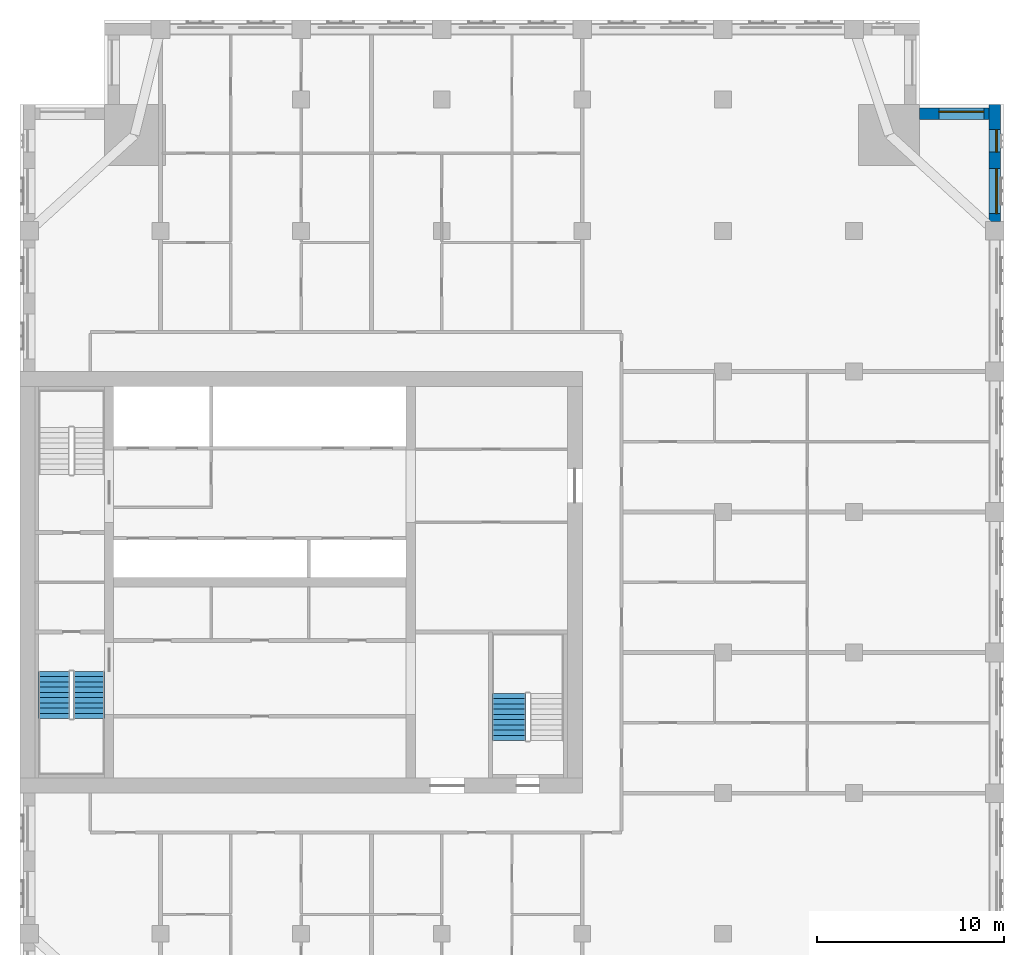
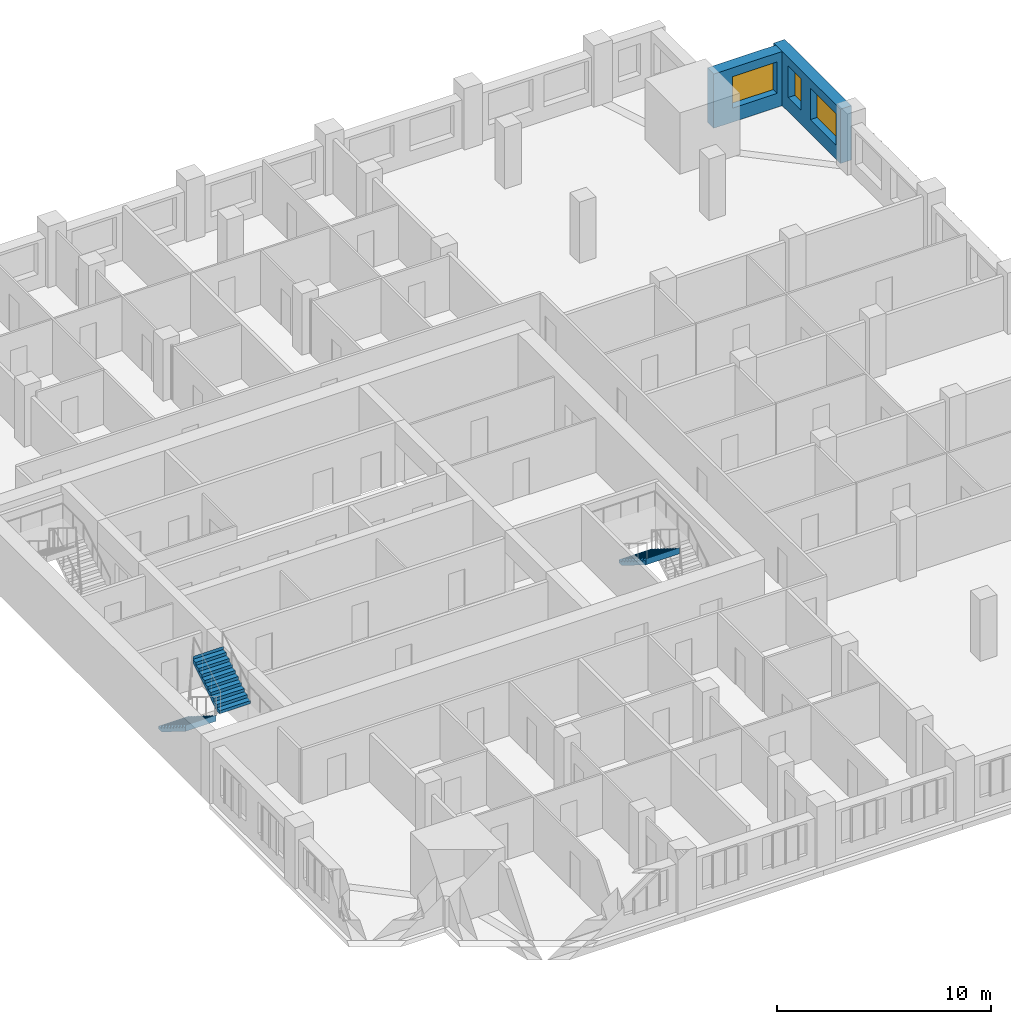
# One storey, part 12 of 14: 3 stair flights, 3 windows, 2 walls, 3 openings, 2 elements without a shape of their own.
"""IFC4 building model written with IfcOpenShell, lengths in metres."""

from ifc_helpers import new_model, si_unit, direction, frame, frame_2d, origin, place, context, subcontext, project, spatial, polyline, rectangle, outline, extrude, material, layer, layer_set, type_object, element, fill, aggregate, save


model = new_model("IFC4")

# Units and contexts
model_context = context("Model", 3, precision=1e-05, world=origin(), true_north=direction((0.0, 1.0)))
body_context = subcontext(model_context, "Body", "Model", "MODEL_VIEW")
ifc_project = project(units=[si_unit("LENGTHUNIT", "METRE"), si_unit("AREAUNIT", "SQUARE_METRE"), si_unit("VOLUMEUNIT", "CUBIC_METRE"), si_unit("PLANEANGLEUNIT", "RADIAN"), si_unit("MASSUNIT", "GRAM", prefix="KILO")], contexts=[model_context])

# Site, building, storey
site_placement = place(None, origin())
site = spatial("IfcSite", under=ifc_project, at=site_placement, CompositionType="ELEMENT")
building_placement = place(site_placement, origin())
building = spatial("IfcBuilding", under=site, at=building_placement, Name="Tamorin Gate", CompositionType="ELEMENT")
storey_placement = place(building_placement, frame((0.0, 0.0, 210.699951171875)))
storey = spatial("IfcBuildingStorey", under=building, at=storey_placement, Name="L52", CompositionType="ELEMENT", Elevation=210.699951171875)

# Wall, openings, windows
ifc_material_1 = material(Name="Precast concrete C40/50", Category="concrete")
ifc_layer = layer(ifc_material_1, 0.60009765625)
ifc_layer_set = layer_set([ifc_layer], Name="Precast concrete C40/50")
wall_type = type_object("IfcWallType", Name="Board-marked concrete facade panel 600", PredefinedType="SOLIDWALL", material=ifc_layer_set)
wall_1_placement = place(storey_placement, frame((82.0, 90.5, 0.0), z_axis=(0.0, 0.0, 1.0), x_axis=(0.0, 1.0, 0.0)))
wall_1 = element("IfcWall", 1, at=wall_1_placement, inside=storey, type_object=wall_type, Name="Facade panel", PredefinedType="SOLIDWALL", context=body_context, shape_type="SweptSolid", body=[
    extrude(rectangle(XDim=6.25, YDim=0.60009765625, at=frame_2d((3.125, 0.0))), origin(), (0.0, 0.0, 1.0), 3.10009765625),
])
opening_1_placement = place(wall_1_placement, frame((0.425048828125, 0.0, 0.800048828125)))
opening_1 = element("IfcOpeningElement", 2, at=opening_1_placement, cuts=wall_1, Name="Opening WN1", PredefinedType="OPENING", context=body_context, shape_type="SweptSolid", body=[
    extrude(rectangle(XDim=2.39990234375, YDim=1.800048828125, at=frame_2d((1.199951171875, 0.89990234375))), frame((0.0, 0.31005859375, 0.0), z_axis=(0.0, -1.0, 0.0), x_axis=(1.0, 0.0, 0.0)), (0.0, 0.0, 1.0), 0.6201171875),
])
opening_2_placement = place(wall_1_placement, frame((3.699951171875, 0.0, 0.800048828125)))
opening_2 = element("IfcOpeningElement", 3, at=opening_2_placement, cuts=wall_1, Name="Opening WN3", PredefinedType="OPENING", context=body_context, shape_type="SweptSolid", body=[
    extrude(rectangle(XDim=1.199951171875, YDim=1.800048828125, at=frame_2d((0.60009765625, 0.89990234375))), frame((0.0, 0.31005859375, 0.0), z_axis=(0.0, -1.0, 0.0), x_axis=(1.0, 0.0, 0.0)), (0.0, 0.0, 1.0), 0.6201171875),
])
ifc_material_2 = material(Name="Clear glass in aluminium frame", Category="aluminium")
window_type_1 = type_object("IfcWindowType", Name="Deep-set window 1200x1800", PartitioningType="SINGLE_PANEL", PredefinedType="WINDOW", material=ifc_material_2)
window_1_placement = place(opening_2_placement, origin())
window_1 = element("IfcWindow", 4, at=window_1_placement, inside=storey, type_object=window_type_1, Name="Deep-set window", OverallHeight=1.800048828125, OverallWidth=1.199951171875, PartitioningType="SINGLE_PANEL", PredefinedType="WINDOW", context=body_context, shape_type="SweptSolid", body=[
    extrude(rectangle(XDim=1.199951171875, YDim=1.800048828125, at=frame_2d((0.60009765625, 0.89990234375))), frame((0.0, -0.070068359375, 0.0), z_axis=(0.0, -1.0, 0.0), x_axis=(1.0, 0.0, 0.0)), (0.0, 0.0, 1.0), 0.06005859375),
])
fill(opening_2, window_1)
window_type_2 = type_object("IfcWindowType", Name="Deep-set window 2400x1800", PartitioningType="SINGLE_PANEL", PredefinedType="WINDOW", material=ifc_material_2)
window_2_placement = place(opening_1_placement, origin())
window_2 = element("IfcWindow", 5, at=window_2_placement, inside=storey, type_object=window_type_2, Name="Deep-set window", OverallHeight=1.800048828125, OverallWidth=2.39990234375, PartitioningType="SINGLE_PANEL", PredefinedType="WINDOW", context=body_context, shape_type="SweptSolid", body=[
    extrude(rectangle(XDim=2.39990234375, YDim=1.800048828125, at=frame_2d((1.199951171875, 0.89990234375))), frame((0.0, -0.070068359375, 0.0), z_axis=(0.0, -1.0, 0.0), x_axis=(1.0, 0.0, 0.0)), (0.0, 0.0, 1.0), 0.06005859375),
])
fill(opening_1, window_2)

# Wall, opening, window
wall_2_placement = place(storey_placement, frame((81.699951171875, 96.25, 0.0), z_axis=(0.0, 0.0, 1.0), x_axis=(-1.0, 0.0, 0.0)))
wall_2 = element("IfcWall", 6, at=wall_2_placement, inside=storey, type_object=wall_type, Name="Facade panel", PredefinedType="SOLIDWALL", context=body_context, shape_type="SweptSolid", body=[
    extrude(rectangle(XDim=3.699951171875, YDim=0.60009765625, at=frame_2d((1.85009765625, 0.0))), origin(), (0.0, 0.0, 1.0), 3.10009765625),
])
opening_3_placement = place(wall_2_placement, frame((0.27490234375, 0.0, 0.800048828125)))
opening_3 = element("IfcOpeningElement", 7, at=opening_3_placement, cuts=wall_2, Name="Opening WN1", PredefinedType="OPENING", context=body_context, shape_type="SweptSolid", body=[
    extrude(rectangle(XDim=2.39990234375, YDim=1.800048828125, at=frame_2d((1.199951171875, 0.89990234375))), frame((0.0, 0.31005859375, 0.0), z_axis=(0.0, -1.0, 0.0), x_axis=(1.0, 0.0, 0.0)), (0.0, 0.0, 1.0), 0.6201171875),
])
window_3_placement = place(opening_3_placement, origin())
window_3 = element("IfcWindow", 8, at=window_3_placement, inside=storey, type_object=window_type_2, Name="Deep-set window", OverallHeight=1.800048828125, OverallWidth=2.39990234375, PartitioningType="SINGLE_PANEL", PredefinedType="WINDOW", context=body_context, shape_type="SweptSolid", body=[
    extrude(rectangle(XDim=2.39990234375, YDim=1.800048828125, at=frame_2d((1.199951171875, 0.89990234375))), frame((0.0, -0.070068359375, 0.0), z_axis=(0.0, -1.0, 0.0), x_axis=(1.0, 0.0, 0.0)), (0.0, 0.0, 1.0), 0.06005859375),
])
fill(opening_3, window_3)

# Stair, stair flights
ifc_material_3 = material(Name="Concrete C40/50", Category="concrete")
stair_type = type_object("IfcStairType", Name="Exit stair", PredefinedType="HALF_TURN_STAIR", material=ifc_material_3)
stair_1_placement = place(storey_placement, origin())
stair_1 = element("IfcStair", 9, at=stair_1_placement, inside=storey, type_object=stair_type, Name="L52 stair ST1", PredefinedType="HALF_TURN_STAIR")
stair_flight_type = type_object("IfcStairFlightType", Name="Exit stair flight", PredefinedType="STRAIGHT", material=ifc_material_3)
stair_flight_1_placement = place(storey_placement, frame((31.824951171875, 66.5, 0.0), z_axis=(0.0, 0.0, 1.0), x_axis=(0.0, -1.0, 0.0)))
stair_flight_1 = element("IfcStairFlight", 10, at=stair_flight_1_placement, type_object=stair_flight_type, Name="ST1 flight 1", NumberOfRisers=10, NumberOfTreads=9, PredefinedType="STRAIGHT", RiserHeight=0.175, TreadLength=0.28, context=body_context, shape_type="SweptSolid", body=[
    extrude(outline(polyline([(-0.00048828125, 0.0), (-0.00048828125, 0.001708984375), (-0.00048828125, 0.00341796875), (-0.00048828125, 0.005126953125), (-0.00048828125, 0.0068359375), (-0.00048828125, 0.008544921875), (-0.00048828125, 0.010498046875), (-0.00048828125, 0.01220703125), (-0.00048828125, 0.013916015625), (-0.00048828125, 0.015625), (-0.00048828125, 0.017333984375), (-0.00048828125, 0.01904296875), (-0.00048828125, 0.020751953125), (-0.00048828125, 0.0224609375), (-0.00048828125, 0.024169921875), (-0.00048828125, 0.02587890625), (-0.00048828125, 0.02783203125), (-0.00048828125, 0.029541015625), (-0.00048828125, 0.03125), (-0.00048828125, 0.032958984375), (-0.00048828125, 0.03466796875), (-0.00048828125, 0.036376953125), (-0.00048828125, 0.0380859375), (-0.00048828125, 0.039794921875), (-0.00048828125, 0.04150390625), (-0.00048828125, 0.043212890625), (-0.00048828125, 0.045166015625), (-0.00048828125, 0.046875), (-0.00048828125, 0.048583984375), (-0.00048828125, 0.05029296875), (-0.00048828125, 0.052001953125), (-0.00048828125, 0.0537109375), (-0.00048828125, 0.055419921875), (-0.00048828125, 0.05712890625), (-0.00048828125, 0.058837890625), (-0.00048828125, 0.060546875), (-0.00048828125, 0.062255859375), (-0.00048828125, 0.064208984375), (-0.00048828125, 0.06591796875), (-0.00048828125, 0.067626953125), (-0.00048828125, 0.0693359375), (-0.00048828125, 0.071044921875), (-0.00048828125, 0.07275390625), (-0.00048828125, 0.074462890625), (-0.00048828125, 0.076171875), (-0.00048828125, 0.077880859375), (-0.00048828125, 0.07958984375), (-0.00048828125, 0.08154296875), (-0.00048828125, 0.083251953125), (-0.00048828125, 0.0849609375), (-0.00048828125, 0.086669921875), (-0.00048828125, 0.08837890625), (-0.00048828125, 0.090087890625), (-0.00048828125, 0.091796875), (-0.00048828125, 0.093505859375), (-0.00048828125, 0.09521484375), (-0.00048828125, 0.096923828125), (-0.00048828125, 0.098876953125), (-0.00048828125, 0.1005859375), (-0.00048828125, 0.102294921875), (-0.00048828125, 0.10400390625), (-0.00048828125, 0.105712890625), (-0.00048828125, 0.107421875), (-0.00048828125, 0.109130859375), (-0.00048828125, 0.11083984375), (-0.00048828125, 0.112548828125), (-0.00048828125, 0.1142578125), (-0.00048828125, 0.1162109375), (-0.00048828125, 0.117919921875), (-0.00048828125, 0.11962890625), (-0.00048828125, 0.121337890625), (-0.00048828125, 0.123046875), (-0.00048828125, 0.124755859375), (-0.00048828125, 0.12646484375), (-0.00048828125, 0.128173828125), (-0.00048828125, 0.1298828125), (-0.00048828125, 0.131591796875), (-0.00048828125, 0.13330078125), (-0.00048828125, 0.13525390625), (-0.00048828125, 0.136962890625), (-0.00048828125, 0.138671875), (-0.00048828125, 0.140380859375), (-0.00048828125, 0.14208984375), (-0.00048828125, 0.143798828125), (-0.00048828125, 0.1455078125), (-0.00048828125, 0.147216796875), (-0.00048828125, 0.14892578125), (-0.00048828125, 0.150634765625), (-0.00048828125, 0.152587890625), (-0.00048828125, 0.154296875), (-0.00048828125, 0.156005859375), (-0.00048828125, 0.15771484375), (-0.00048828125, 0.159423828125), (-0.00048828125, 0.1611328125), (-0.00048828125, 0.162841796875), (-0.00048828125, 0.16455078125), (-0.00048828125, 0.166259765625), (-0.00048828125, 0.16796875), (-0.00048828125, 0.169921875), (-0.00048828125, 0.171630859375), (-0.00048828125, 0.17333984375), (-0.00048828125, 0.175048828125), (0.280029296875, 0.175048828125), (0.280029296875, 0.35009765625), (0.56005859375, 0.35009765625), (0.56005859375, 0.52490234375), (0.840087890625, 0.52490234375), (0.840087890625, 0.699951171875), (1.1201171875, 0.699951171875), (1.1201171875, 0.875), (1.39990234375, 0.875), (1.39990234375, 1.050048828125), (1.679931640625, 1.050048828125), (1.679931640625, 1.22509765625), (1.9599609375, 1.22509765625), (1.9599609375, 1.39990234375), (2.239990234375, 1.39990234375), (2.239990234375, 1.574951171875), (2.52001953125, 1.574951171875), (2.52001953125, 1.75), (2.5205078125, 1.75), (2.5205078125, 1.74658203125), (2.5205078125, 1.742919921875), (2.5205078125, 1.739501953125), (2.5205078125, 1.736083984375), (2.5205078125, 1.732666015625), (2.5205078125, 1.72900390625), (2.5205078125, 1.7255859375), (2.5205078125, 1.72216796875), (2.5205078125, 1.71875), (2.5205078125, 1.715087890625), (2.5205078125, 1.711669921875), (2.5205078125, 1.708251953125), (2.5205078125, 1.704833984375), (2.5205078125, 1.701171875), (2.5205078125, 1.69775390625), (2.5205078125, 1.6943359375), (2.5205078125, 1.690673828125), (2.5205078125, 1.687255859375), (2.5205078125, 1.683837890625), (2.5205078125, 1.680419921875), (2.5205078125, 1.6767578125), (2.5205078125, 1.67333984375), (2.5205078125, 1.669921875), (2.5205078125, 1.66650390625), (2.5205078125, 1.662841796875), (2.5205078125, 1.659423828125), (2.5205078125, 1.656005859375), (2.5205078125, 1.652587890625), (2.5205078125, 1.64892578125), (2.5205078125, 1.6455078125), (2.5205078125, 1.64208984375), (2.5205078125, 1.638427734375), (2.5205078125, 1.635009765625), (2.5205078125, 1.631591796875), (2.5205078125, 1.628173828125), (2.5205078125, 1.62451171875), (2.5205078125, 1.62109375), (2.5205078125, 1.61767578125), (2.5205078125, 1.6142578125), (2.5205078125, 1.610595703125), (2.5205078125, 1.607177734375), (2.5205078125, 1.603759765625), (2.5205078125, 1.600341796875), (2.5205078125, 1.5966796875), (2.5205078125, 1.59326171875), (2.5205078125, 1.58984375), (2.5205078125, 1.58642578125), (2.5205078125, 1.582763671875), (2.5205078125, 1.579345703125), (2.5205078125, 1.575927734375), (2.5205078125, 1.572265625), (2.5205078125, 1.56884765625), (2.5205078125, 1.5654296875), (2.5205078125, 1.56201171875), (2.5205078125, 1.558349609375), (2.5205078125, 1.554931640625), (2.5205078125, 1.551513671875), (2.5205078125, 1.548095703125), (2.5205078125, 1.54443359375), (2.5205078125, 1.541015625), (2.5205078125, 1.53759765625), (2.5205078125, 1.5341796875), (2.5205078125, 1.530517578125), (2.5205078125, 1.527099609375), (2.5205078125, 1.523681640625), (2.5205078125, 1.52001953125), (2.5205078125, 1.5166015625), (2.5205078125, 1.51318359375), (2.5205078125, 1.509765625), (2.5205078125, 1.506103515625), (2.5205078125, 1.502685546875), (2.5205078125, 1.499267578125), (2.5205078125, 1.495849609375), (2.5205078125, 1.4921875), (2.5205078125, 1.48876953125), (2.5205078125, 1.4853515625), (2.5205078125, 1.48193359375), (2.5205078125, 1.478271484375), (2.5205078125, 1.474853515625), (2.5205078125, 1.471435546875), (2.5205078125, 1.4677734375), (2.5205078125, 1.46435546875), (2.5205078125, 1.4609375), (2.5205078125, 1.45751953125), (2.5205078125, 1.453857421875), (2.5205078125, 1.450439453125), (2.5205078125, 1.447021484375), (2.5205078125, 1.443603515625), (2.5205078125, 1.43994140625), (2.5205078125, 1.4365234375), (2.5205078125, 1.43310546875), (2.5205078125, 1.4296875), (2.5205078125, 1.426025390625), (2.5205078125, 1.422607421875), (2.5205078125, 1.419189453125), (2.5205078125, 1.41552734375), (2.5205078125, 1.412109375), (2.5205078125, 1.40869140625), (2.5205078125, 1.4052734375), (2.5205078125, 1.401611328125), (2.5205078125, 1.398193359375), (2.52001953125, 1.398193359375), (0.28271484375, 0.0), (-0.00048828125, 0.0)])), frame((0.0, 0.824951171875, 0.0), z_axis=(0.0, -1.0, 0.0), x_axis=(1.0, 0.0, 0.0)), (0.0, 0.0, 1.0), 1.64990234375),
])
stair_flight_2_placement = place(storey_placement, frame((33.675048828125, 63.97998046875, 1.75), z_axis=(0.0, 0.0, 1.0), x_axis=(0.0, 1.0, 0.0)))
stair_flight_2 = element("IfcStairFlight", 11, at=stair_flight_2_placement, type_object=stair_flight_type, Name="ST1 flight 2", NumberOfRisers=10, NumberOfTreads=9, PredefinedType="STRAIGHT", RiserHeight=0.175, TreadLength=0.28, context=body_context, shape_type="SweptSolid", body=[
    extrude(outline(polyline([(-0.00048828125, 0.0), (-0.00048828125, 0.001708984375), (-0.00048828125, 0.00341796875), (-0.00048828125, 0.005126953125), (-0.00048828125, 0.0068359375), (-0.00048828125, 0.008544921875), (-0.00048828125, 0.010498046875), (-0.00048828125, 0.01220703125), (-0.00048828125, 0.013916015625), (-0.00048828125, 0.015625), (-0.00048828125, 0.017333984375), (-0.00048828125, 0.01904296875), (-0.00048828125, 0.020751953125), (-0.00048828125, 0.0224609375), (-0.00048828125, 0.024169921875), (-0.00048828125, 0.02587890625), (-0.00048828125, 0.02783203125), (-0.00048828125, 0.029541015625), (-0.00048828125, 0.03125), (-0.00048828125, 0.032958984375), (-0.00048828125, 0.03466796875), (-0.00048828125, 0.036376953125), (-0.00048828125, 0.0380859375), (-0.00048828125, 0.039794921875), (-0.00048828125, 0.04150390625), (-0.00048828125, 0.043212890625), (-0.00048828125, 0.045166015625), (-0.00048828125, 0.046875), (-0.00048828125, 0.048583984375), (-0.00048828125, 0.05029296875), (-0.00048828125, 0.052001953125), (-0.00048828125, 0.0537109375), (-0.00048828125, 0.055419921875), (-0.00048828125, 0.05712890625), (-0.00048828125, 0.058837890625), (-0.00048828125, 0.060546875), (-0.00048828125, 0.062255859375), (-0.00048828125, 0.064208984375), (-0.00048828125, 0.06591796875), (-0.00048828125, 0.067626953125), (-0.00048828125, 0.0693359375), (-0.00048828125, 0.071044921875), (-0.00048828125, 0.07275390625), (-0.00048828125, 0.074462890625), (-0.00048828125, 0.076171875), (-0.00048828125, 0.077880859375), (-0.00048828125, 0.07958984375), (-0.00048828125, 0.08154296875), (-0.00048828125, 0.083251953125), (-0.00048828125, 0.0849609375), (-0.00048828125, 0.086669921875), (-0.00048828125, 0.08837890625), (-0.00048828125, 0.090087890625), (-0.00048828125, 0.091796875), (-0.00048828125, 0.093505859375), (-0.00048828125, 0.09521484375), (-0.00048828125, 0.096923828125), (-0.00048828125, 0.098876953125), (-0.00048828125, 0.1005859375), (-0.00048828125, 0.102294921875), (-0.00048828125, 0.10400390625), (-0.00048828125, 0.105712890625), (-0.00048828125, 0.107421875), (-0.00048828125, 0.109130859375), (-0.00048828125, 0.11083984375), (-0.00048828125, 0.112548828125), (-0.00048828125, 0.1142578125), (-0.00048828125, 0.1162109375), (-0.00048828125, 0.117919921875), (-0.00048828125, 0.11962890625), (-0.00048828125, 0.121337890625), (-0.00048828125, 0.123046875), (-0.00048828125, 0.124755859375), (-0.00048828125, 0.12646484375), (-0.00048828125, 0.128173828125), (-0.00048828125, 0.1298828125), (-0.00048828125, 0.131591796875), (-0.00048828125, 0.13330078125), (-0.00048828125, 0.13525390625), (-0.00048828125, 0.136962890625), (-0.00048828125, 0.138671875), (-0.00048828125, 0.140380859375), (-0.00048828125, 0.14208984375), (-0.00048828125, 0.143798828125), (-0.00048828125, 0.1455078125), (-0.00048828125, 0.147216796875), (-0.00048828125, 0.14892578125), (-0.00048828125, 0.150634765625), (-0.00048828125, 0.152587890625), (-0.00048828125, 0.154296875), (-0.00048828125, 0.156005859375), (-0.00048828125, 0.15771484375), (-0.00048828125, 0.159423828125), (-0.00048828125, 0.1611328125), (-0.00048828125, 0.162841796875), (-0.00048828125, 0.16455078125), (-0.00048828125, 0.166259765625), (-0.00048828125, 0.16796875), (-0.00048828125, 0.169921875), (-0.00048828125, 0.171630859375), (-0.00048828125, 0.17333984375), (-0.00048828125, 0.175048828125), (0.280029296875, 0.175048828125), (0.280029296875, 0.35009765625), (0.56005859375, 0.35009765625), (0.56005859375, 0.52490234375), (0.840087890625, 0.52490234375), (0.840087890625, 0.699951171875), (1.1201171875, 0.699951171875), (1.1201171875, 0.875), (1.39990234375, 0.875), (1.39990234375, 1.050048828125), (1.679931640625, 1.050048828125), (1.679931640625, 1.22509765625), (1.9599609375, 1.22509765625), (1.9599609375, 1.39990234375), (2.239990234375, 1.39990234375), (2.239990234375, 1.574951171875), (2.52001953125, 1.574951171875), (2.52001953125, 1.75), (2.5205078125, 1.75), (2.5205078125, 1.74658203125), (2.5205078125, 1.742919921875), (2.5205078125, 1.739501953125), (2.5205078125, 1.736083984375), (2.5205078125, 1.732666015625), (2.5205078125, 1.72900390625), (2.5205078125, 1.7255859375), (2.5205078125, 1.72216796875), (2.5205078125, 1.71875), (2.5205078125, 1.715087890625), (2.5205078125, 1.711669921875), (2.5205078125, 1.708251953125), (2.5205078125, 1.704833984375), (2.5205078125, 1.701171875), (2.5205078125, 1.69775390625), (2.5205078125, 1.6943359375), (2.5205078125, 1.690673828125), (2.5205078125, 1.687255859375), (2.5205078125, 1.683837890625), (2.5205078125, 1.680419921875), (2.5205078125, 1.6767578125), (2.5205078125, 1.67333984375), (2.5205078125, 1.669921875), (2.5205078125, 1.66650390625), (2.5205078125, 1.662841796875), (2.5205078125, 1.659423828125), (2.5205078125, 1.656005859375), (2.5205078125, 1.652587890625), (2.5205078125, 1.64892578125), (2.5205078125, 1.6455078125), (2.5205078125, 1.64208984375), (2.5205078125, 1.638427734375), (2.5205078125, 1.635009765625), (2.5205078125, 1.631591796875), (2.5205078125, 1.628173828125), (2.5205078125, 1.62451171875), (2.5205078125, 1.62109375), (2.5205078125, 1.61767578125), (2.5205078125, 1.6142578125), (2.5205078125, 1.610595703125), (2.5205078125, 1.607177734375), (2.5205078125, 1.603759765625), (2.5205078125, 1.600341796875), (2.5205078125, 1.5966796875), (2.5205078125, 1.59326171875), (2.5205078125, 1.58984375), (2.5205078125, 1.58642578125), (2.5205078125, 1.582763671875), (2.5205078125, 1.579345703125), (2.5205078125, 1.575927734375), (2.5205078125, 1.572265625), (2.5205078125, 1.56884765625), (2.5205078125, 1.5654296875), (2.5205078125, 1.56201171875), (2.5205078125, 1.558349609375), (2.5205078125, 1.554931640625), (2.5205078125, 1.551513671875), (2.5205078125, 1.548095703125), (2.5205078125, 1.54443359375), (2.5205078125, 1.541015625), (2.5205078125, 1.53759765625), (2.5205078125, 1.5341796875), (2.5205078125, 1.530517578125), (2.5205078125, 1.527099609375), (2.5205078125, 1.523681640625), (2.5205078125, 1.52001953125), (2.5205078125, 1.5166015625), (2.5205078125, 1.51318359375), (2.5205078125, 1.509765625), (2.5205078125, 1.506103515625), (2.5205078125, 1.502685546875), (2.5205078125, 1.499267578125), (2.5205078125, 1.495849609375), (2.5205078125, 1.4921875), (2.5205078125, 1.48876953125), (2.5205078125, 1.4853515625), (2.5205078125, 1.48193359375), (2.5205078125, 1.478271484375), (2.5205078125, 1.474853515625), (2.5205078125, 1.471435546875), (2.5205078125, 1.4677734375), (2.5205078125, 1.46435546875), (2.5205078125, 1.4609375), (2.5205078125, 1.45751953125), (2.5205078125, 1.453857421875), (2.5205078125, 1.450439453125), (2.5205078125, 1.447021484375), (2.5205078125, 1.443603515625), (2.5205078125, 1.43994140625), (2.5205078125, 1.4365234375), (2.5205078125, 1.43310546875), (2.5205078125, 1.4296875), (2.5205078125, 1.426025390625), (2.5205078125, 1.422607421875), (2.5205078125, 1.419189453125), (2.5205078125, 1.41552734375), (2.5205078125, 1.412109375), (2.5205078125, 1.40869140625), (2.5205078125, 1.4052734375), (2.5205078125, 1.401611328125), (2.5205078125, 1.398193359375), (2.52001953125, 1.398193359375), (0.28271484375, 0.0), (-0.00048828125, 0.0)])), frame((0.0, 0.824951171875, 0.0), z_axis=(0.0, -1.0, 0.0), x_axis=(1.0, 0.0, 0.0)), (0.0, 0.0, 1.0), 1.64990234375),
])
aggregate(stair_1, [stair_flight_1, stair_flight_2])

# Stair, stair flight
stair_2_placement = place(storey_placement, origin())
stair_2 = element("IfcStair", 12, at=stair_2_placement, inside=storey, type_object=stair_type, Name="L52 stair ST3", PredefinedType="HALF_TURN_STAIR")
stair_flight_3_placement = place(storey_placement, frame((56.10009765625, 65.320068359375, 1.75), z_axis=(0.0, 0.0, 1.0), x_axis=(0.0, -1.0, 0.0)))
stair_flight_3 = element("IfcStairFlight", 13, at=stair_flight_3_placement, type_object=stair_flight_type, Name="ST3 flight 2", NumberOfRisers=10, NumberOfTreads=9, PredefinedType="STRAIGHT", RiserHeight=0.175, TreadLength=0.28, context=body_context, shape_type="SweptSolid", body=[
    extrude(outline(polyline([(-0.00048828125, 0.0), (-0.00048828125, 0.001708984375), (-0.00048828125, 0.00341796875), (-0.00048828125, 0.005126953125), (-0.00048828125, 0.0068359375), (-0.00048828125, 0.008544921875), (-0.00048828125, 0.010498046875), (-0.00048828125, 0.01220703125), (-0.00048828125, 0.013916015625), (-0.00048828125, 0.015625), (-0.00048828125, 0.017333984375), (-0.00048828125, 0.01904296875), (-0.00048828125, 0.020751953125), (-0.00048828125, 0.0224609375), (-0.00048828125, 0.024169921875), (-0.00048828125, 0.02587890625), (-0.00048828125, 0.02783203125), (-0.00048828125, 0.029541015625), (-0.00048828125, 0.03125), (-0.00048828125, 0.032958984375), (-0.00048828125, 0.03466796875), (-0.00048828125, 0.036376953125), (-0.00048828125, 0.0380859375), (-0.00048828125, 0.039794921875), (-0.00048828125, 0.04150390625), (-0.00048828125, 0.043212890625), (-0.00048828125, 0.045166015625), (-0.00048828125, 0.046875), (-0.00048828125, 0.048583984375), (-0.00048828125, 0.05029296875), (-0.00048828125, 0.052001953125), (-0.00048828125, 0.0537109375), (-0.00048828125, 0.055419921875), (-0.00048828125, 0.05712890625), (-0.00048828125, 0.058837890625), (-0.00048828125, 0.060546875), (-0.00048828125, 0.062255859375), (-0.00048828125, 0.064208984375), (-0.00048828125, 0.06591796875), (-0.00048828125, 0.067626953125), (-0.00048828125, 0.0693359375), (-0.00048828125, 0.071044921875), (-0.00048828125, 0.07275390625), (-0.00048828125, 0.074462890625), (-0.00048828125, 0.076171875), (-0.00048828125, 0.077880859375), (-0.00048828125, 0.07958984375), (-0.00048828125, 0.08154296875), (-0.00048828125, 0.083251953125), (-0.00048828125, 0.0849609375), (-0.00048828125, 0.086669921875), (-0.00048828125, 0.08837890625), (-0.00048828125, 0.090087890625), (-0.00048828125, 0.091796875), (-0.00048828125, 0.093505859375), (-0.00048828125, 0.09521484375), (-0.00048828125, 0.096923828125), (-0.00048828125, 0.098876953125), (-0.00048828125, 0.1005859375), (-0.00048828125, 0.102294921875), (-0.00048828125, 0.10400390625), (-0.00048828125, 0.105712890625), (-0.00048828125, 0.107421875), (-0.00048828125, 0.109130859375), (-0.00048828125, 0.11083984375), (-0.00048828125, 0.112548828125), (-0.00048828125, 0.1142578125), (-0.00048828125, 0.1162109375), (-0.00048828125, 0.117919921875), (-0.00048828125, 0.11962890625), (-0.00048828125, 0.121337890625), (-0.00048828125, 0.123046875), (-0.00048828125, 0.124755859375), (-0.00048828125, 0.12646484375), (-0.00048828125, 0.128173828125), (-0.00048828125, 0.1298828125), (-0.00048828125, 0.131591796875), (-0.00048828125, 0.13330078125), (-0.00048828125, 0.13525390625), (-0.00048828125, 0.136962890625), (-0.00048828125, 0.138671875), (-0.00048828125, 0.140380859375), (-0.00048828125, 0.14208984375), (-0.00048828125, 0.143798828125), (-0.00048828125, 0.1455078125), (-0.00048828125, 0.147216796875), (-0.00048828125, 0.14892578125), (-0.00048828125, 0.150634765625), (-0.00048828125, 0.152587890625), (-0.00048828125, 0.154296875), (-0.00048828125, 0.156005859375), (-0.00048828125, 0.15771484375), (-0.00048828125, 0.159423828125), (-0.00048828125, 0.1611328125), (-0.00048828125, 0.162841796875), (-0.00048828125, 0.16455078125), (-0.00048828125, 0.166259765625), (-0.00048828125, 0.16796875), (-0.00048828125, 0.169921875), (-0.00048828125, 0.171630859375), (-0.00048828125, 0.17333984375), (-0.00048828125, 0.175048828125), (0.280029296875, 0.175048828125), (0.280029296875, 0.35009765625), (0.56005859375, 0.35009765625), (0.56005859375, 0.52490234375), (0.840087890625, 0.52490234375), (0.840087890625, 0.699951171875), (1.1201171875, 0.699951171875), (1.1201171875, 0.875), (1.39990234375, 0.875), (1.39990234375, 1.050048828125), (1.679931640625, 1.050048828125), (1.679931640625, 1.22509765625), (1.9599609375, 1.22509765625), (1.9599609375, 1.39990234375), (2.239990234375, 1.39990234375), (2.239990234375, 1.574951171875), (2.52001953125, 1.574951171875), (2.52001953125, 1.75), (2.5205078125, 1.75), (2.5205078125, 1.74658203125), (2.5205078125, 1.742919921875), (2.5205078125, 1.739501953125), (2.5205078125, 1.736083984375), (2.5205078125, 1.732666015625), (2.5205078125, 1.72900390625), (2.5205078125, 1.7255859375), (2.5205078125, 1.72216796875), (2.5205078125, 1.71875), (2.5205078125, 1.715087890625), (2.5205078125, 1.711669921875), (2.5205078125, 1.708251953125), (2.5205078125, 1.704833984375), (2.5205078125, 1.701171875), (2.5205078125, 1.69775390625), (2.5205078125, 1.6943359375), (2.5205078125, 1.690673828125), (2.5205078125, 1.687255859375), (2.5205078125, 1.683837890625), (2.5205078125, 1.680419921875), (2.5205078125, 1.6767578125), (2.5205078125, 1.67333984375), (2.5205078125, 1.669921875), (2.5205078125, 1.66650390625), (2.5205078125, 1.662841796875), (2.5205078125, 1.659423828125), (2.5205078125, 1.656005859375), (2.5205078125, 1.652587890625), (2.5205078125, 1.64892578125), (2.5205078125, 1.6455078125), (2.5205078125, 1.64208984375), (2.5205078125, 1.638427734375), (2.5205078125, 1.635009765625), (2.5205078125, 1.631591796875), (2.5205078125, 1.628173828125), (2.5205078125, 1.62451171875), (2.5205078125, 1.62109375), (2.5205078125, 1.61767578125), (2.5205078125, 1.6142578125), (2.5205078125, 1.610595703125), (2.5205078125, 1.607177734375), (2.5205078125, 1.603759765625), (2.5205078125, 1.600341796875), (2.5205078125, 1.5966796875), (2.5205078125, 1.59326171875), (2.5205078125, 1.58984375), (2.5205078125, 1.58642578125), (2.5205078125, 1.582763671875), (2.5205078125, 1.579345703125), (2.5205078125, 1.575927734375), (2.5205078125, 1.572265625), (2.5205078125, 1.56884765625), (2.5205078125, 1.5654296875), (2.5205078125, 1.56201171875), (2.5205078125, 1.558349609375), (2.5205078125, 1.554931640625), (2.5205078125, 1.551513671875), (2.5205078125, 1.548095703125), (2.5205078125, 1.54443359375), (2.5205078125, 1.541015625), (2.5205078125, 1.53759765625), (2.5205078125, 1.5341796875), (2.5205078125, 1.530517578125), (2.5205078125, 1.527099609375), (2.5205078125, 1.523681640625), (2.5205078125, 1.52001953125), (2.5205078125, 1.5166015625), (2.5205078125, 1.51318359375), (2.5205078125, 1.509765625), (2.5205078125, 1.506103515625), (2.5205078125, 1.502685546875), (2.5205078125, 1.499267578125), (2.5205078125, 1.495849609375), (2.5205078125, 1.4921875), (2.5205078125, 1.48876953125), (2.5205078125, 1.4853515625), (2.5205078125, 1.48193359375), (2.5205078125, 1.478271484375), (2.5205078125, 1.474853515625), (2.5205078125, 1.471435546875), (2.5205078125, 1.4677734375), (2.5205078125, 1.46435546875), (2.5205078125, 1.4609375), (2.5205078125, 1.45751953125), (2.5205078125, 1.453857421875), (2.5205078125, 1.450439453125), (2.5205078125, 1.447021484375), (2.5205078125, 1.443603515625), (2.5205078125, 1.43994140625), (2.5205078125, 1.4365234375), (2.5205078125, 1.43310546875), (2.5205078125, 1.4296875), (2.5205078125, 1.426025390625), (2.5205078125, 1.422607421875), (2.5205078125, 1.419189453125), (2.5205078125, 1.41552734375), (2.5205078125, 1.412109375), (2.5205078125, 1.40869140625), (2.5205078125, 1.4052734375), (2.5205078125, 1.401611328125), (2.5205078125, 1.398193359375), (2.52001953125, 1.398193359375), (0.28271484375, 0.0), (-0.00048828125, 0.0)])), frame((0.0, 0.89990234375, 0.0), z_axis=(0.0, -1.0, 0.0), x_axis=(1.0, 0.0, 0.0)), (0.0, 0.0, 1.0), 1.800048828125),
])
aggregate(stair_2, [stair_flight_3])

save(model, "model.ifc")
